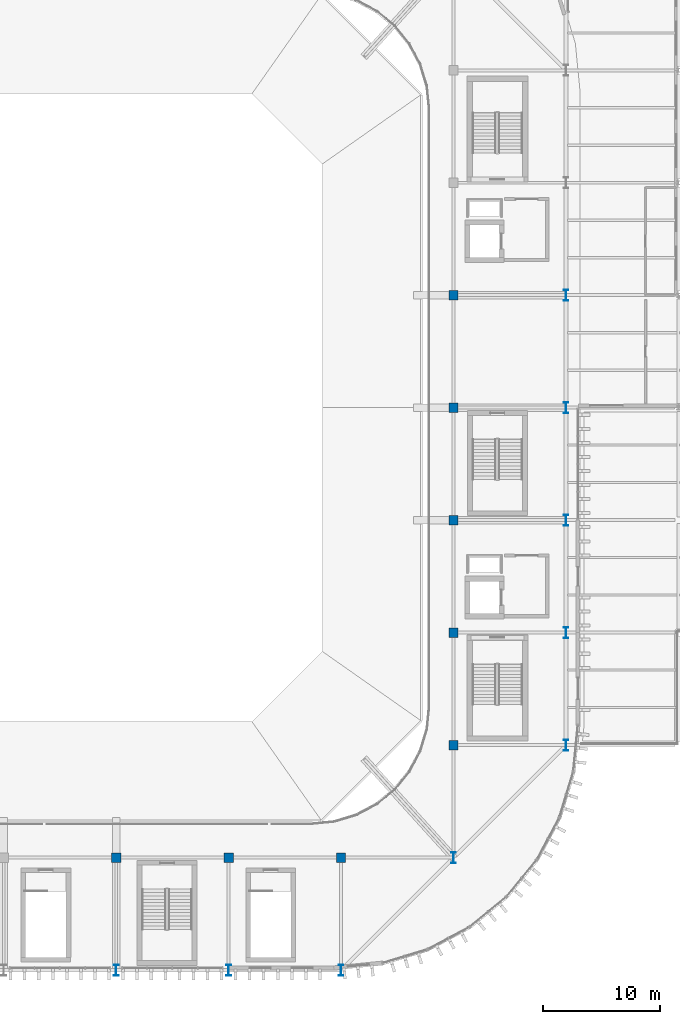
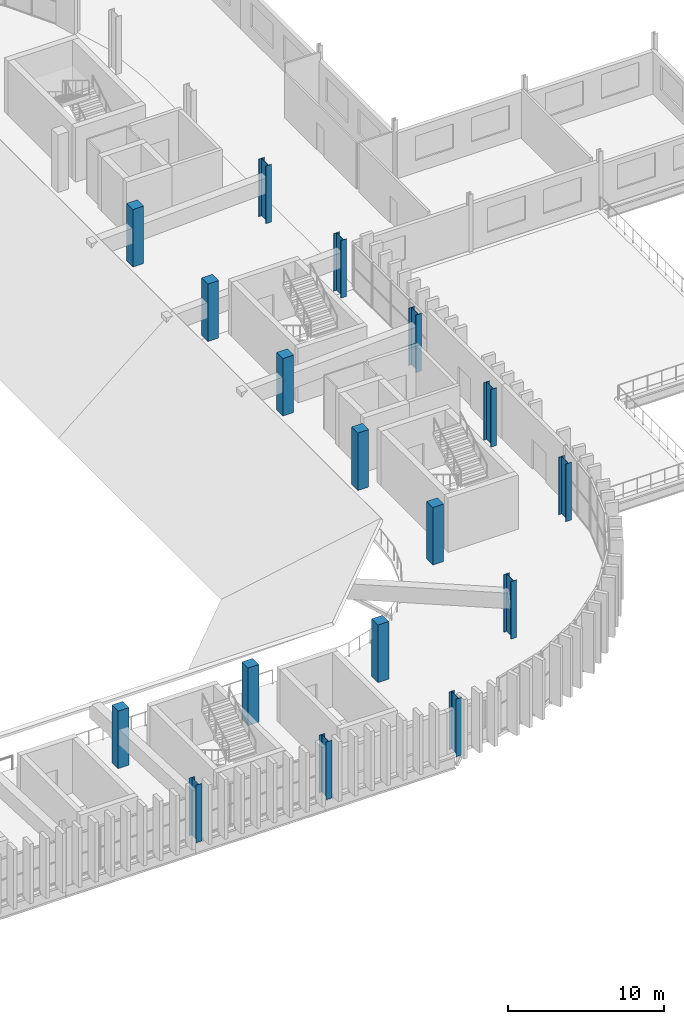
# One storey, part 2 of 69: 17 columns.
"""IFC4 building model written with IfcOpenShell, lengths in metres."""

from ifc_helpers import new_model, si_unit, direction, frame, origin, origin_2d, place, context, subcontext, project, spatial, rectangle, i_section, extrude, material, material_profile, profile_set, type_object, element, save


model = new_model("IFC4")

# Units and contexts
model_context = context("Model", 3, precision=1e-05, world=origin(), true_north=direction((0.0, 1.0)))
body_context = subcontext(model_context, "Body", "Model", "MODEL_VIEW")
ifc_project = project(units=[si_unit("LENGTHUNIT", "METRE"), si_unit("AREAUNIT", "SQUARE_METRE"), si_unit("VOLUMEUNIT", "CUBIC_METRE"), si_unit("PLANEANGLEUNIT", "RADIAN"), si_unit("MASSUNIT", "GRAM", prefix="KILO")], contexts=[model_context])

# Site, building, storey
site_placement = place(None, origin())
site = spatial("IfcSite", under=ifc_project, at=site_placement, CompositionType="ELEMENT")
building_placement = place(site_placement, origin())
building = spatial("IfcBuilding", under=site, at=building_placement, Name="Caelomonte Colonnade Arena", CompositionType="ELEMENT")
storey_placement = place(building_placement, frame((0.0, 0.0, 18.60009765625)))
storey = spatial("IfcBuildingStorey", under=building, at=storey_placement, Name="L04", CompositionType="ELEMENT", Elevation=18.60009765625)

# Columns
ifc_material_1 = material(Name="Concrete C40/50", Category="concrete")
ifc_material_profile_1 = material_profile(ifc_material_1, rectangle(XDim=0.800048828125, YDim=0.800048828125, at=origin_2d()), Name="RC800X800")
ifc_profile_set_1 = profile_set([ifc_material_profile_1], Name="Concrete C40/50")
column_type_1 = type_object("IfcColumnType", Name="STR-COL-RC08", PredefinedType="COLUMN", material=ifc_profile_set_1)
for number, where, z_axis, x_axis, name in (
    (1, (124.800048828125, 28.800048828125, 0.0), (0.0, 0.0, 1.0), (1.0, 0.0, 0.0), "L04 column (124.8, 28.8)"),
    (2, (134.39990234375, 28.800048828125, 0.0), (0.0, 0.0, 1.0), (1.0, 0.0, 0.0), "L04 column (134.4, 28.8)"),
    (3, (144.0, 28.800048828125, 0.0), (0.0, 0.0, 1.0), (1.0, 0.0, 0.0), "L04 column (144.0, 28.8)"),
    (4, (153.60009765625, 38.39990234375, 0.0), (0.0, 0.0, 1.0), (1.0, 0.0, 0.0), "L04 column (153.6, 38.4)"),
    (5, (153.60009765625, 48.0, 0.0), (0.0, 0.0, 1.0), (1.0, 0.0, 0.0), "L04 column (153.6, 48.0)"),
    (6, (153.60009765625, 57.60009765625, 0.0), (0.0, 0.0, 1.0), (1.0, 0.0, 0.0), "L04 column (153.6, 57.6)"),
    (7, (153.60009765625, 67.199951171875, 0.0), (0.0, 0.0, 1.0), (1.0, 0.0, 0.0), "L04 column (153.6, 67.2)"),
    (8, (153.60009765625, 76.800048828125, 0.0), (0.0, 0.0, 1.0), (1.0, 0.0, 0.0), "L04 column (153.6, 76.8)"),
):
    element("IfcColumn", number, at=place(storey_placement, frame(where, z_axis=z_axis, x_axis=x_axis)), inside=storey, type_object=column_type_1, Name=name, PredefinedType="COLUMN", context=body_context, shape_type="SweptSolid", body=[
        extrude(rectangle(XDim=0.800048828125, YDim=0.800048828125, at=origin_2d()), origin(), (0.0, 0.0, 1.0), 4.5),
    ])
ifc_material_2 = material(Name="Wide-flange steel ASTM A992 Grade 50", Category="steel")
ifc_material_profile_2 = material_profile(ifc_material_2, i_section(OverallWidth=0.418212890625, OverallDepth=0.927001953125, WebThickness=0.019287109375, FlangeThickness=0.031982421875, FilletRadius=0.024169921875, at=origin_2d()), Name="W36X231")
ifc_profile_set_2 = profile_set([ifc_material_profile_2], Name="Wide-flange steel ASTM A992 Grade 50")
column_type_2 = type_object("IfcColumnType", Name="STR-COL-W36B", PredefinedType="COLUMN", material=ifc_profile_set_2)
for number, where, z_axis, x_axis, name in (
    (9, (124.800048828125, 19.199951171875, 0.0), (0.0, 0.0, 1.0), (1.0, 0.0, 0.0), "L04 column (124.8, 19.2)"),
    (10, (134.39990234375, 19.199951171875, 0.0), (0.0, 0.0, 1.0), (1.0, 0.0, 0.0), "L04 column (134.4, 19.2)"),
    (11, (144.0, 19.199951171875, 0.0), (0.0, 0.0, 1.0), (1.0, 0.0, 0.0), "L04 column (144.0, 19.2)"),
    (12, (153.60009765625, 28.800048828125, 0.0), (0.0, 0.0, 1.0), (1.0, 0.0, 0.0), "L04 column (153.6, 28.8)"),
    (13, (163.199951171875, 38.39990234375, 0.0), (0.0, 0.0, 1.0), (1.0, 0.0, 0.0), "L04 column (163.2, 38.4)"),
    (14, (163.199951171875, 48.0, 0.0), (0.0, 0.0, 1.0), (1.0, 0.0, 0.0), "L04 column (163.2, 48.0)"),
    (15, (163.199951171875, 57.60009765625, 0.0), (0.0, 0.0, 1.0), (1.0, 0.0, 0.0), "L04 column (163.2, 57.6)"),
    (16, (163.199951171875, 67.199951171875, 0.0), (0.0, 0.0, 1.0), (1.0, 0.0, 0.0), "L04 column (163.2, 67.2)"),
    (17, (163.199951171875, 76.800048828125, 0.0), (0.0, 0.0, 1.0), (1.0, 0.0, 0.0), "L04 column (163.2, 76.8)"),
):
    element("IfcColumn", number, at=place(storey_placement, frame(where, z_axis=z_axis, x_axis=x_axis)), inside=storey, type_object=column_type_2, Name=name, PredefinedType="COLUMN", context=body_context, shape_type="SweptSolid", body=[
        extrude(i_section(OverallWidth=0.418212890625, OverallDepth=0.927001953125, WebThickness=0.019287109375, FlangeThickness=0.031982421875, FilletRadius=0.024169921875, at=origin_2d()), origin(), (0.0, 0.0, 1.0), 4.5),
    ])

save(model, "model.ifc")
